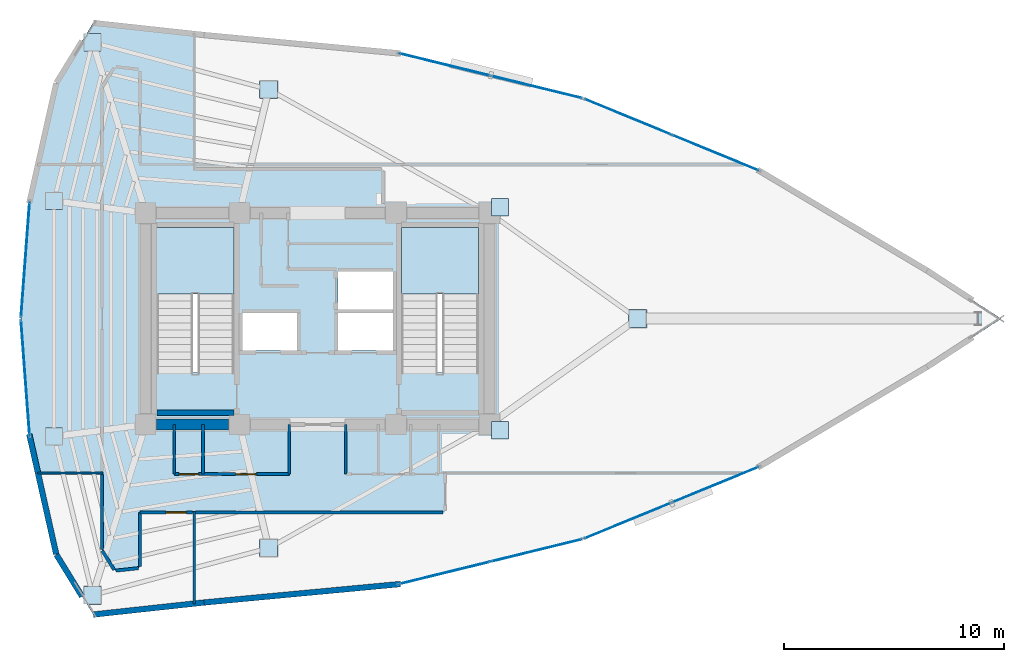
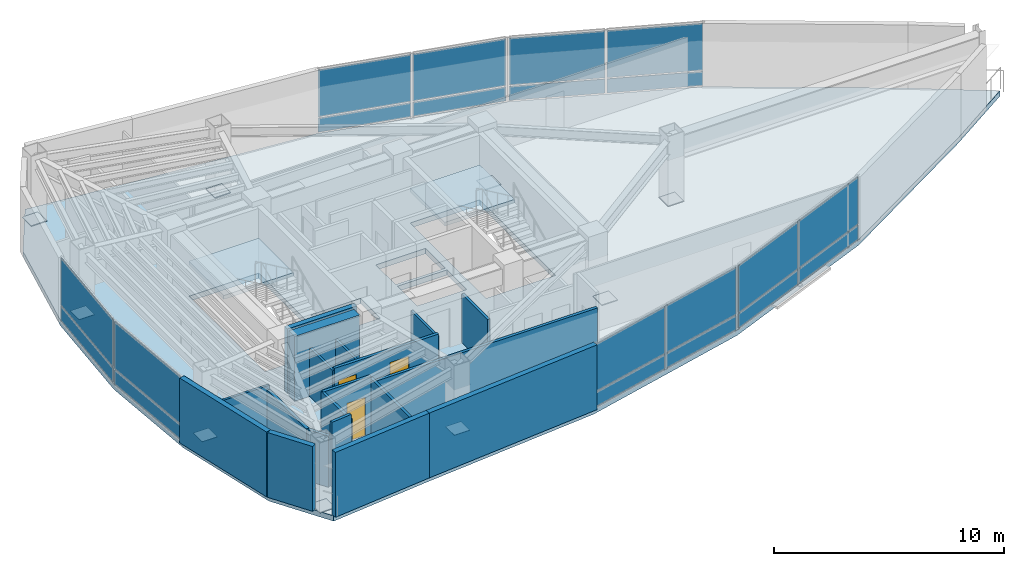
# One storey, part 13 of 17: 29 plates, 19 walls, 3 doors, 3 slabs, 3 openings, 8 elements without a shape of their own.
"""IFC4 building model written with IfcOpenShell, lengths in metres."""

from ifc_helpers import new_model, si_unit, direction, frame, frame_2d, origin, origin_2d, place, context, subcontext, project, spatial, polyline, rectangle, outline, extrude, material, layer, layer_set, type_object, element, fill, aggregate, save


model = new_model("IFC4")

# Units and contexts
model_context = context("Model", 3, precision=1e-05, world=origin(), true_north=direction((0.0, 1.0)))
body_context = subcontext(model_context, "Body", "Model", "MODEL_VIEW")
ifc_project = project(units=[si_unit("LENGTHUNIT", "METRE"), si_unit("AREAUNIT", "SQUARE_METRE"), si_unit("VOLUMEUNIT", "CUBIC_METRE"), si_unit("PLANEANGLEUNIT", "RADIAN"), si_unit("MASSUNIT", "GRAM", prefix="KILO")], contexts=[model_context])

# Site, building, storey
site_placement = place(None, origin())
site = spatial("IfcSite", under=ifc_project, at=site_placement, CompositionType="ELEMENT")
building_placement = place(site_placement, origin())
building = spatial("IfcBuilding", under=site, at=building_placement, Name="Menara Vayukalpa", CompositionType="ELEMENT")
storey_placement = place(building_placement, frame((0.0, 0.0, 234.419921875)))
storey = spatial("IfcBuildingStorey", under=building, at=storey_placement, Name="L59", CompositionType="ELEMENT", Elevation=234.419921875)

# Curtain wall, plates
ifc_material_1 = material(Name="Anodised Terracotta Aluminium Alloy 6063-T6", Category="masonry")
ifc_layer_1 = layer(ifc_material_1, 0.179931640625)
ifc_layer_set_1 = layer_set([ifc_layer_1], Name="Anodised Terracotta Aluminium Alloy 6063-T6")
curtain_wall_type = type_object("IfcCurtainWallType", Name="CW-CW4", PredefinedType="USERDEFINED", material=ifc_layer_set_1)
curtain_wall_1_placement = place(storey_placement, origin())
curtain_wall_1 = element("IfcCurtainWall", 1, at=curtain_wall_1_placement, inside=storey, type_object=curtain_wall_type, Name="L59 Sky Bar Cantilever Glazed Curtain Wall CW4 04", ObjectType="UNITISED", PredefinedType="USERDEFINED")
ifc_material_2 = material(Name="Low-E Double Glazing", Category="glass")
ifc_layer_2 = layer(ifc_material_2, 0.0380859375)
ifc_layer_set_2 = layer_set([ifc_layer_2], Name="Low-E Double Glazing")
plate_type_1 = type_object("IfcPlateType", Name="CWP-CW4", PredefinedType="CURTAIN_PANEL", material=ifc_layer_set_2)
plate_1_placement = place(storey_placement, frame((43.641845703125, 29.53271484375, 0.070068359375), z_axis=(0.0, 0.0, 1.0), x_axis=(-0.924970279301, 0.380039448491, 0.0)))
plate_1 = element("IfcPlate", 2, at=plate_1_placement, type_object=plate_type_1, Name="CW4 panel 1.1", PredefinedType="CURTAIN_PANEL", context=body_context, shape_type="SweptSolid", body=[
    extrude(rectangle(XDim=4.21435546875, YDim=0.0380859375, at=origin_2d()), origin(), (0.0, 0.0, 1.0), 0.7451171875),
])
plate_2_placement = place(storey_placement, frame((43.641845703125, 29.53271484375, 0.88525390625), z_axis=(0.0, 0.0, 1.0), x_axis=(-0.924970279301, 0.380039448491, 0.0)))
plate_2 = element("IfcPlate", 3, at=plate_2_placement, type_object=plate_type_1, Name="CW4 panel 1.2", PredefinedType="CURTAIN_PANEL", context=body_context, shape_type="SweptSolid", body=[
    extrude(rectangle(XDim=4.21435546875, YDim=0.0380859375, at=origin_2d()), origin(), (0.0, 0.0, 1.0), 2.485107421875),
])
plate_3_placement = place(storey_placement, frame((39.67431640625, 31.16259765625, 0.070068359375), z_axis=(0.0, 0.0, 1.0), x_axis=(-0.924970279301, 0.380039448491, 0.0)))
plate_3 = element("IfcPlate", 4, at=plate_3_placement, type_object=plate_type_1, Name="CW4 panel 2.1", PredefinedType="CURTAIN_PANEL", context=body_context, shape_type="SweptSolid", body=[
    extrude(rectangle(XDim=4.21435546875, YDim=0.0380859375, at=origin_2d()), origin(), (0.0, 0.0, 1.0), 0.7451171875),
])
plate_4_placement = place(storey_placement, frame((39.67431640625, 31.16259765625, 0.88525390625), z_axis=(0.0, 0.0, 1.0), x_axis=(-0.924970279301, 0.380039448491, 0.0)))
plate_4 = element("IfcPlate", 5, at=plate_4_placement, type_object=plate_type_1, Name="CW4 panel 2.2", PredefinedType="CURTAIN_PANEL", context=body_context, shape_type="SweptSolid", body=[
    extrude(rectangle(XDim=4.21435546875, YDim=0.0380859375, at=origin_2d()), origin(), (0.0, 0.0, 1.0), 2.485107421875),
])
aggregate(curtain_wall_1, [plate_1, plate_2, plate_3, plate_4])

curtain_wall_2_placement = place(storey_placement, origin())
curtain_wall_2 = element("IfcCurtainWall", 6, at=curtain_wall_2_placement, inside=storey, type_object=curtain_wall_type, Name="L59 Sky Bar Cantilever Glazed Curtain Wall CW4 05", ObjectType="UNITISED", PredefinedType="USERDEFINED")
plate_5_placement = place(storey_placement, frame((35.536376953125, 32.510986328125, 0.070068359375), z_axis=(0.0, 0.0, 1.0), x_axis=(-0.971311749097, 0.237809768652, 0.0)))
plate_5 = element("IfcPlate", 7, at=plate_5_placement, type_object=plate_type_1, Name="CW4 panel 1.1", PredefinedType="CURTAIN_PANEL", context=body_context, shape_type="SweptSolid", body=[
    extrude(rectangle(XDim=4.21435546875, YDim=0.0380859375, at=origin_2d()), origin(), (0.0, 0.0, 1.0), 0.7451171875),
])
plate_6_placement = place(storey_placement, frame((35.536376953125, 32.510986328125, 0.88525390625), z_axis=(0.0, 0.0, 1.0), x_axis=(-0.971311749097, 0.237809768652, 0.0)))
plate_6 = element("IfcPlate", 8, at=plate_6_placement, type_object=plate_type_1, Name="CW4 panel 1.2", PredefinedType="CURTAIN_PANEL", context=body_context, shape_type="SweptSolid", body=[
    extrude(rectangle(XDim=4.21435546875, YDim=0.0380859375, at=origin_2d()), origin(), (0.0, 0.0, 1.0), 2.485107421875),
])
plate_7_placement = place(storey_placement, frame((31.3701171875, 33.531005859375, 0.070068359375), z_axis=(0.0, 0.0, 1.0), x_axis=(-0.971311749097, 0.237809768652, 0.0)))
plate_7 = element("IfcPlate", 9, at=plate_7_placement, type_object=plate_type_1, Name="CW4 panel 2.1", PredefinedType="CURTAIN_PANEL", context=body_context, shape_type="SweptSolid", body=[
    extrude(rectangle(XDim=4.21435546875, YDim=0.0380859375, at=origin_2d()), origin(), (0.0, 0.0, 1.0), 0.7451171875),
])
plate_8_placement = place(storey_placement, frame((31.3701171875, 33.531005859375, 0.88525390625), z_axis=(0.0, 0.0, 1.0), x_axis=(-0.971311749097, 0.237809768652, 0.0)))
plate_8 = element("IfcPlate", 10, at=plate_8_placement, type_object=plate_type_1, Name="CW4 panel 2.2", PredefinedType="CURTAIN_PANEL", context=body_context, shape_type="SweptSolid", body=[
    extrude(rectangle(XDim=4.21435546875, YDim=0.0380859375, at=origin_2d()), origin(), (0.0, 0.0, 1.0), 2.485107421875),
])
aggregate(curtain_wall_2, [plate_5, plate_6, plate_7, plate_8])

curtain_wall_3_placement = place(storey_placement, origin())
curtain_wall_3 = element("IfcCurtainWall", 11, at=curtain_wall_3_placement, inside=storey, type_object=curtain_wall_type, Name="L59 Sky Bar Cantilever Glazed Curtain Wall CW4 10", ObjectType="UNITISED", PredefinedType="USERDEFINED")
plate_9_placement = place(storey_placement, frame((12.33837890625, 24.67333984375, 0.070068359375), z_axis=(0.0, 0.0, 1.0), x_axis=(-0.074789484574, -0.997199344663, 0.0)))
plate_9 = element("IfcPlate", 12, at=plate_9_placement, type_object=plate_type_1, Name="CW4 panel 1.1", PredefinedType="CURTAIN_PANEL", context=body_context, shape_type="SweptSolid", body=[
    extrude(rectangle(XDim=5.211669921875, YDim=0.0380859375, at=origin_2d()), origin(), (0.0, 0.0, 1.0), 0.7451171875),
])
plate_10_placement = place(storey_placement, frame((12.33837890625, 24.67333984375, 0.88525390625), z_axis=(0.0, 0.0, 1.0), x_axis=(-0.074789484574, -0.997199344663, 0.0)))
plate_10 = element("IfcPlate", 13, at=plate_10_placement, type_object=plate_type_1, Name="CW4 panel 1.2", PredefinedType="CURTAIN_PANEL", context=body_context, shape_type="SweptSolid", body=[
    extrude(rectangle(XDim=5.211669921875, YDim=0.0380859375, at=origin_2d()), origin(), (0.0, 0.0, 1.0), 2.485107421875),
])
aggregate(curtain_wall_3, [plate_9, plate_10])

curtain_wall_4_placement = place(storey_placement, origin())
curtain_wall_4 = element("IfcCurtainWall", 14, at=curtain_wall_4_placement, inside=storey, type_object=curtain_wall_type, Name="L59 Sky Bar Cantilever Glazed Curtain Wall CW4 11", ObjectType="UNITISED", PredefinedType="USERDEFINED")
plate_11_placement = place(storey_placement, frame((12.33837890625, 19.32666015625, 0.070068359375), z_axis=(0.0, 0.0, 1.0), x_axis=(0.074789484574, -0.997199344663, 0.0)))
plate_11 = element("IfcPlate", 15, at=plate_11_placement, type_object=plate_type_1, Name="CW4 panel 1.1", PredefinedType="CURTAIN_PANEL", context=body_context, shape_type="SweptSolid", body=[
    extrude(rectangle(XDim=5.211669921875, YDim=0.0380859375, at=origin_2d()), origin(), (0.0, 0.0, 1.0), 0.7451171875),
])
plate_12_placement = place(storey_placement, frame((12.33837890625, 19.32666015625, 0.88525390625), z_axis=(0.0, 0.0, 1.0), x_axis=(0.074789484574, -0.997199344663, 0.0)))
plate_12 = element("IfcPlate", 16, at=plate_12_placement, type_object=plate_type_1, Name="CW4 panel 1.2", PredefinedType="CURTAIN_PANEL", context=body_context, shape_type="SweptSolid", body=[
    extrude(rectangle(XDim=5.211669921875, YDim=0.0380859375, at=origin_2d()), origin(), (0.0, 0.0, 1.0), 2.485107421875),
])
aggregate(curtain_wall_4, [plate_11, plate_12])

curtain_wall_5_placement = place(storey_placement, origin())
curtain_wall_5 = element("IfcCurtainWall", 17, at=curtain_wall_5_placement, inside=storey, type_object=curtain_wall_type, Name="L59 Sky Bar Cantilever Glazed Curtain Wall CW4 16", ObjectType="UNITISED", PredefinedType="USERDEFINED")
plate_13_placement = place(storey_placement, frame((31.3701171875, 10.468994140625, 0.070068359375), z_axis=(0.0, 0.0, 1.0), x_axis=(0.971311749097, 0.237809768652, 0.0)))
plate_13 = element("IfcPlate", 18, at=plate_13_placement, type_object=plate_type_1, Name="CW4 panel 1.1", PredefinedType="CURTAIN_PANEL", context=body_context, shape_type="SweptSolid", body=[
    extrude(rectangle(XDim=4.21435546875, YDim=0.0380859375, at=origin_2d()), origin(), (0.0, 0.0, 1.0), 0.7451171875),
])
plate_14_placement = place(storey_placement, frame((31.3701171875, 10.468994140625, 0.88525390625), z_axis=(0.0, 0.0, 1.0), x_axis=(0.971311749097, 0.237809768652, 0.0)))
plate_14 = element("IfcPlate", 19, at=plate_14_placement, type_object=plate_type_1, Name="CW4 panel 1.2", PredefinedType="CURTAIN_PANEL", context=body_context, shape_type="SweptSolid", body=[
    extrude(rectangle(XDim=4.21435546875, YDim=0.0380859375, at=origin_2d()), origin(), (0.0, 0.0, 1.0), 2.485107421875),
])
plate_15_placement = place(storey_placement, frame((35.536376953125, 11.489013671875, 0.070068359375), z_axis=(0.0, 0.0, 1.0), x_axis=(0.971311749097, 0.237809768652, 0.0)))
plate_15 = element("IfcPlate", 20, at=plate_15_placement, type_object=plate_type_1, Name="CW4 panel 2.1", PredefinedType="CURTAIN_PANEL", context=body_context, shape_type="SweptSolid", body=[
    extrude(rectangle(XDim=4.21435546875, YDim=0.0380859375, at=origin_2d()), origin(), (0.0, 0.0, 1.0), 0.7451171875),
])
plate_16_placement = place(storey_placement, frame((35.536376953125, 11.489013671875, 0.88525390625), z_axis=(0.0, 0.0, 1.0), x_axis=(0.971311749097, 0.237809768652, 0.0)))
plate_16 = element("IfcPlate", 21, at=plate_16_placement, type_object=plate_type_1, Name="CW4 panel 2.2", PredefinedType="CURTAIN_PANEL", context=body_context, shape_type="SweptSolid", body=[
    extrude(rectangle(XDim=4.21435546875, YDim=0.0380859375, at=origin_2d()), origin(), (0.0, 0.0, 1.0), 2.485107421875),
])
aggregate(curtain_wall_5, [plate_13, plate_14, plate_15, plate_16])

curtain_wall_6_placement = place(storey_placement, origin())
curtain_wall_6 = element("IfcCurtainWall", 22, at=curtain_wall_6_placement, inside=storey, type_object=curtain_wall_type, Name="L59 Sky Bar Cantilever Glazed Curtain Wall CW4 17", ObjectType="UNITISED", PredefinedType="USERDEFINED")
plate_17_placement = place(storey_placement, frame((39.67431640625, 12.83740234375, 0.070068359375), z_axis=(0.0, 0.0, 1.0), x_axis=(0.924970279301, 0.380039448491, 0.0)))
plate_17 = element("IfcPlate", 23, at=plate_17_placement, type_object=plate_type_1, Name="CW4 panel 1.1", PredefinedType="CURTAIN_PANEL", context=body_context, shape_type="SweptSolid", body=[
    extrude(rectangle(XDim=4.21435546875, YDim=0.0380859375, at=origin_2d()), origin(), (0.0, 0.0, 1.0), 0.7451171875),
])
plate_18_placement = place(storey_placement, frame((39.67431640625, 12.83740234375, 0.88525390625), z_axis=(0.0, 0.0, 1.0), x_axis=(0.924970279301, 0.380039448491, 0.0)))
plate_18 = element("IfcPlate", 24, at=plate_18_placement, type_object=plate_type_1, Name="CW4 panel 1.2", PredefinedType="CURTAIN_PANEL", context=body_context, shape_type="SweptSolid", body=[
    extrude(rectangle(XDim=4.21435546875, YDim=0.0380859375, at=origin_2d()), origin(), (0.0, 0.0, 1.0), 2.485107421875),
])
plate_19_placement = place(storey_placement, frame((43.641845703125, 14.46728515625, 0.070068359375), z_axis=(0.0, 0.0, 1.0), x_axis=(0.924970279301, 0.380039448491, 0.0)))
plate_19 = element("IfcPlate", 25, at=plate_19_placement, type_object=plate_type_1, Name="CW4 panel 2.1", PredefinedType="CURTAIN_PANEL", context=body_context, shape_type="SweptSolid", body=[
    extrude(rectangle(XDim=4.21435546875, YDim=0.0380859375, at=origin_2d()), origin(), (0.0, 0.0, 1.0), 0.7451171875),
])
plate_20_placement = place(storey_placement, frame((43.641845703125, 14.46728515625, 0.88525390625), z_axis=(0.0, 0.0, 1.0), x_axis=(0.924970279301, 0.380039448491, 0.0)))
plate_20 = element("IfcPlate", 26, at=plate_20_placement, type_object=plate_type_1, Name="CW4 panel 2.2", PredefinedType="CURTAIN_PANEL", context=body_context, shape_type="SweptSolid", body=[
    extrude(rectangle(XDim=4.21435546875, YDim=0.0380859375, at=origin_2d()), origin(), (0.0, 0.0, 1.0), 2.485107421875),
])
aggregate(curtain_wall_6, [plate_17, plate_18, plate_19, plate_20])

# Plates
ifc_material_3 = material(Name="Steel S355", Category="steel")
ifc_layer_3 = layer(ifc_material_3, 0.034912109375)
ifc_layer_set_3 = layer_set([ifc_layer_3], Name="Steel S355")
plate_type_2 = type_object("IfcPlateType", Name="PLT-SP2", PredefinedType="USERDEFINED", material=ifc_layer_set_3)
for number, where, z_axis, x_axis, name in (
    (27, (40.121826171875, 22.0, 0.0), (0.0, 0.0, 1.0), (1.0, 0.0, 0.0), "L59 Mega Column Tier Splice Plate 01"),
    (28, (33.880615234375, 27.05810546875, 0.0), (0.0, 0.0, 1.0), (1.0, 0.0, 0.0), "L59 Mega Column Tier Splice Plate 02"),
    (29, (23.3818359375, 32.40478515625, 0.0), (0.0, 0.0, 1.0), (1.0, 0.0, 0.0), "L59 Mega Column Tier Splice Plate 03"),
    (30, (15.38916015625, 34.544677734375, 0.0), (0.0, 0.0, 1.0), (1.0, 0.0, 0.0), "L59 Mega Column Tier Splice Plate 04"),
    (31, (13.638916015625, 27.3466796875, 0.0), (0.0, 0.0, 1.0), (1.0, 0.0, 0.0), "L59 Mega Column Tier Splice Plate 05"),
    (32, (13.638916015625, 16.6533203125, 0.0), (0.0, 0.0, 1.0), (1.0, 0.0, 0.0), "L59 Mega Column Tier Splice Plate 06"),
    (33, (15.38916015625, 9.455322265625, 0.0), (0.0, 0.0, 1.0), (1.0, 0.0, 0.0), "L59 Mega Column Tier Splice Plate 07"),
    (34, (23.3818359375, 11.59521484375, 0.0), (0.0, 0.0, 1.0), (1.0, 0.0, 0.0), "L59 Mega Column Tier Splice Plate 08"),
    (35, (33.880615234375, 16.94189453125, 0.0), (0.0, 0.0, 1.0), (1.0, 0.0, 0.0), "L59 Mega Column Tier Splice Plate 09"),
):
    element("IfcPlate", number, at=place(storey_placement, frame(where, z_axis=z_axis, x_axis=x_axis)), inside=storey, type_object=plate_type_2, Name=name, ObjectType="SPLICE_PLATE", PredefinedType="USERDEFINED", context=body_context, shape_type="SweptSolid", body=[
        extrude(rectangle(XDim=0.780029296875, YDim=0.780029296875, at=origin_2d()), origin(), (0.0, 0.0, 1.0), 0.034912109375),
    ])

# Slab
ifc_material_4 = material(Name="Concrete C40/50", Category="concrete")
ifc_layer_4 = layer(ifc_material_4, 0.280029296875)
ifc_layer_set_4 = layer_set([ifc_layer_4], Name="Concrete C40/50")
slab_type_1 = type_object("IfcSlabType", Name="SLB-FL280", PredefinedType="FLOOR", material=ifc_layer_set_4)
slab_1_placement = place(storey_placement, frame((0.0, 0.0, -0.280029296875)))
element("IfcSlab", 36, at=slab_1_placement, inside=storey, type_object=slab_type_1, Name="L59 Sky Bar Structural Floor Slab", PredefinedType="FLOOR", context=body_context, shape_type="SweptSolid", body=[
    extrude(outline(polyline([(53.263427734375, 19.816162109375), (56.61474609375, 22.0), (53.263427734375, 24.183837890625), (45.660400390625, 28.703369140625), (37.656005859375, 31.991943359375), (29.250732421875, 34.0498046875), (20.444580078125, 34.877197265625), (15.41748046875, 35.423095703125), (13.741943359375, 32.693359375), (12.5390625, 27.3466796875), (12.137939453125, 22.0), (12.5390625, 16.6533203125), (13.741943359375, 11.306640625), (15.41748046875, 8.576904296875), (20.444580078125, 9.122802734375), (29.250732421875, 9.9501953125), (37.656005859375, 12.008056640625), (45.660400390625, 15.296630859375), (53.263427734375, 19.816162109375)]), holes=[polyline([(21.800048828125, 19.550048828125), (21.800048828125, 26.14990234375), (18.300048828125, 26.14990234375), (18.300048828125, 19.550048828125), (21.800048828125, 19.550048828125)]), polyline([(32.89990234375, 19.550048828125), (32.89990234375, 26.14990234375), (29.39990234375, 26.14990234375), (29.39990234375, 19.550048828125), (32.89990234375, 19.550048828125)]), polyline([(22.179931640625, 20.550048828125), (24.679931640625, 20.550048828125), (24.679931640625, 22.27001953125), (22.179931640625, 22.27001953125), (22.179931640625, 20.550048828125)]), polyline([(26.52001953125, 20.550048828125), (29.02001953125, 20.550048828125), (29.02001953125, 22.27001953125), (26.52001953125, 22.27001953125), (26.52001953125, 20.550048828125)]), polyline([(26.52001953125, 22.419921875), (29.02001953125, 22.419921875), (29.02001953125, 24.139892578125), (26.52001953125, 24.139892578125), (26.52001953125, 22.419921875)])]), origin(), (0.0, 0.0, 1.0), 0.280029296875),
])

# Stair, slab
ifc_material_5 = material(Name="Precast Concrete C40/50", Category="concrete")
stair_type = type_object("IfcStairType", Name="STR-T04", PredefinedType="DOUBLE_RETURN_STAIR", material=ifc_material_5)
stair_1_placement = place(storey_placement, origin())
stair_1 = element("IfcStair", 37, at=stair_1_placement, inside=storey, type_object=stair_type, Name="L59 Core Exit Stair ST-1", PredefinedType="DOUBLE_RETURN_STAIR")
ifc_material_6 = material(Name="Precast Concrete C40/50", Category="concrete")
ifc_layer_5 = layer(ifc_material_6, 0.199951171875)
ifc_layer_set_5 = layer_set([ifc_layer_5], Name="Precast Concrete C40/50")
slab_type_2 = type_object("IfcSlabType", Name="SLB-LND200", PredefinedType="LANDING", material=ifc_layer_set_5)
slab_2_placement = place(storey_placement, frame((0.0, 0.0, 1.66015625)))
slab_2 = element("IfcSlab", 38, at=slab_2_placement, type_object=slab_type_2, Name="ST-1 landing 1", PredefinedType="LANDING", context=body_context, shape_type="SweptSolid", body=[
    extrude(outline(polyline([(21.800048828125, 23.1298828125), (21.800048828125, 26.14990234375), (18.300048828125, 26.14990234375), (18.300048828125, 23.1298828125), (21.800048828125, 23.1298828125)])), origin(), (0.0, 0.0, 1.0), 0.199951171875),
])
aggregate(stair_1, [slab_2])

stair_2_placement = place(storey_placement, origin())
stair_2 = element("IfcStair", 39, at=stair_2_placement, inside=storey, type_object=stair_type, Name="L59 Core Exit Stair ST-2", PredefinedType="DOUBLE_RETURN_STAIR")
slab_3_placement = place(storey_placement, frame((0.0, 0.0, 1.66015625)))
slab_3 = element("IfcSlab", 40, at=slab_3_placement, type_object=slab_type_2, Name="ST-2 landing 1", PredefinedType="LANDING", context=body_context, shape_type="SweptSolid", body=[
    extrude(outline(polyline([(32.89990234375, 23.1298828125), (32.89990234375, 26.14990234375), (29.39990234375, 26.14990234375), (29.39990234375, 23.1298828125), (32.89990234375, 23.1298828125)])), origin(), (0.0, 0.0, 1.0), 0.199951171875),
])
aggregate(stair_2, [slab_3])

# Walls
ifc_material_7 = material(Name="Concrete C60/75", Category="concrete")
ifc_layer_6 = layer(ifc_material_7, 0.5)
ifc_layer_set_6 = layer_set([ifc_layer_6], Name="Concrete C60/75")
wall_type_1 = type_object("IfcWallType", Name="WAL-CW500", PredefinedType="SHEAR", material=ifc_layer_set_6)
wall_1_placement = place(storey_placement, frame((18.294921875, 17.199951171875, 0.0), z_axis=(0.0, 0.0, 1.0), x_axis=(1.0, 0.0, 0.0)))
element("IfcWall", 41, at=wall_1_placement, inside=storey, type_object=wall_type_1, Name="L59 Buttressed Core Shear Wall CWS1", PredefinedType="SHEAR", context=body_context, shape_type="SweptSolid", body=[
    extrude(rectangle(XDim=3.260009765625, YDim=0.5, at=frame_2d((1.6298828125, 0.0))), origin(), (0.0, 0.0, 1.0), 3.440185546875),
])
ifc_material_8 = material(Name="Insulated Precast Concrete C40/50", Category="concrete")
ifc_layer_7 = layer(ifc_material_8, 0.260009765625)
ifc_layer_set_7 = layer_set([ifc_layer_7], Name="Insulated Precast Concrete C40/50")
wall_type_2 = type_object("IfcWallType", Name="WAL-EXT260", PredefinedType="PARTITIONING", material=ifc_layer_set_7)
wall_2_placement = place(storey_placement, frame((13.73974609375, 11.316650390625, 0.0), z_axis=(0.0, 0.0, 1.0), x_axis=(-0.219510112872, 0.975610224601, 0.0)))
element("IfcWall", 42, at=wall_2_placement, inside=storey, type_object=wall_type_2, Name="L59 Perimeter Terracotta Pier Wall 12", PredefinedType="PARTITIONING", context=body_context, shape_type="SweptSolid", body=[
    extrude(rectangle(XDim=5.579833984375, YDim=0.260009765625, at=frame_2d((2.7900390625, 0.0))), origin(), (0.0, 0.0, 1.0), 3.440185546875),
])
wall_3_placement = place(storey_placement, frame((14.912353515625, 9.39990234375, 0.0), z_axis=(0.0, 0.0, 1.0), x_axis=(-0.52314291314, 0.852244972077, 0.0)))
element("IfcWall", 43, at=wall_3_placement, inside=storey, type_object=wall_type_2, Name="L59 Perimeter Terracotta Pier Wall 13", PredefinedType="PARTITIONING", context=body_context, shape_type="SweptSolid", body=[
    extrude(rectangle(XDim=2.22705078125, YDim=0.260009765625, at=frame_2d((1.113525390625, 0.0))), origin(), (0.0, 0.0, 1.0), 3.440185546875),
])
wall_4_placement = place(storey_placement, frame((20.450439453125, 9.123291015625, 0.0), z_axis=(0.0, 0.0, 1.0), x_axis=(-0.994158757437, -0.107927591518, 0.0)))
element("IfcWall", 44, at=wall_4_placement, inside=storey, type_object=wall_type_2, Name="L59 Perimeter Terracotta Pier Wall 14", PredefinedType="PARTITIONING", context=body_context, shape_type="SweptSolid", body=[
    extrude(rectangle(XDim=5.0625, YDim=0.260009765625, at=frame_2d((2.53125, 0.0))), origin(), (0.0, 0.0, 1.0), 3.440185546875),
])
wall_5_placement = place(storey_placement, frame((29.360107421875, 9.96044921875, 0.0), z_axis=(0.0, 0.0, 1.0), x_axis=(-0.995616246459, -0.093532292754, 0.0)))
element("IfcWall", 45, at=wall_5_placement, inside=storey, type_object=wall_type_2, Name="L59 Perimeter Terracotta Pier Wall 15", PredefinedType="PARTITIONING", context=body_context, shape_type="SweptSolid", body=[
    extrude(rectangle(XDim=8.9609375, YDim=0.260009765625, at=frame_2d((4.48046875, 0.0))), origin(), (0.0, 0.0, 1.0), 3.440185546875),
])
ifc_material_9 = material(Name="Acoustic Mineral Stud Partition", Category="masonry")
ifc_layer_8 = layer(ifc_material_9, 0.110107421875)
ifc_layer_set_8 = layer_set([ifc_layer_8], Name="Acoustic Mineral Stud Partition")
wall_type_3 = type_object("IfcWallType", Name="WAL-PT110", PredefinedType="PARTITIONING", material=ifc_layer_set_8)
wall_6_placement = place(storey_placement, frame((24.320068359375, 14.949951171875, 0.0), z_axis=(0.0, 0.0, 1.0), x_axis=(0.0, 1.0, 0.0)))
element("IfcWall", 46, at=wall_6_placement, inside=storey, type_object=wall_type_3, Name="L59 Interior Partition IW-L59-SVCD-03", PredefinedType="PARTITIONING", context=body_context, shape_type="SweptSolid", body=[
    extrude(rectangle(XDim=2.25, YDim=0.110107421875, at=frame_2d((1.125, 0.0))), origin(), (0.0, 0.0, 1.0), 2.570068359375),
])
wall_7_placement = place(storey_placement, frame((12.900634765625, 15.0, 0.0), z_axis=(0.0, 0.0, 1.0), x_axis=(1.0, 0.0, 0.0)))
element("IfcWall", 47, at=wall_7_placement, inside=storey, type_object=wall_type_3, Name="L59 Interior Partition IW-L59-RDIV03", PredefinedType="PARTITIONING", context=body_context, shape_type="SweptSolid", body=[
    extrude(rectangle(XDim=2.969482421875, YDim=0.110107421875, at=frame_2d((1.48486328125, 0.0))), origin(), (0.0, 0.0, 1.0), 2.920166015625),
])
ifc_material_10 = material(Name="Gypsum Drywall Steel Stud Assembly", Category="steel")
ifc_layer_9 = layer(ifc_material_10, 0.125)
ifc_layer_set_9 = layer_set([ifc_layer_9], Name="Gypsum Drywall Steel Stud Assembly")
wall_type_4 = type_object("IfcWallType", Name="WAL-PT125", PredefinedType="PARTITIONING", material=ifc_layer_set_9)
for number, where, z_axis, x_axis, name in (
    (48, (19.10009765625, 14.949951171875, 0.0), (0.0, 0.0, 1.0), (0.0, 1.0, 0.0), "L59 Interior Partition IW-L59-SVCD-01"),
    (49, (20.39990234375, 14.949951171875, 0.0), (0.0, 0.0, 1.0), (0.0, 1.0, 0.0), "L59 Interior Partition IW-L59-SVCD-02"),
    (50, (26.8798828125, 14.949951171875, 0.0), (0.0, 0.0, 1.0), (0.0, 1.0, 0.0), "L59 Interior Partition IW-L59-SVCD-04"),
):
    element("IfcWall", number, at=place(storey_placement, frame(where, z_axis=z_axis, x_axis=x_axis)), inside=storey, type_object=wall_type_4, Name=name, PredefinedType="PARTITIONING", context=body_context, shape_type="SweptSolid", body=[
        extrude(rectangle(XDim=2.25, YDim=0.125, at=frame_2d((1.125, 0.0))), origin(), (0.0, 0.0, 1.0), 2.570068359375),
    ])
wall_8_placement = place(storey_placement, frame((20.0, 9.064453125, 0.0), z_axis=(0.0, 0.0, 1.0), x_axis=(0.0, 1.0, 0.0)))
element("IfcWall", 51, at=wall_8_placement, inside=storey, type_object=wall_type_4, Name="L59 Interior Partition IW-L59-RDIV01", PredefinedType="PARTITIONING", context=body_context, shape_type="SweptSolid", body=[
    extrude(rectangle(XDim=4.195556640625, YDim=0.125, at=frame_2d((2.09765625, 0.0))), origin(), (0.0, 0.0, 1.0), 2.920166015625),
])

# Wall, openings, doors
ifc_material_11 = material(Name="Gypsum Drywall Acoustic Stud Assembly", Category="masonry")
ifc_layer_10 = layer(ifc_material_11, 0.14501953125)
ifc_layer_set_10 = layer_set([ifc_layer_10], Name="Gypsum Drywall Acoustic Stud Assembly")
wall_type_5 = type_object("IfcWallType", Name="WAL-PT150", PredefinedType="PARTITIONING", material=ifc_layer_set_10)
wall_9_placement = place(storey_placement, frame((19.10009765625, 14.949951171875, 0.0), z_axis=(0.0, 0.0, 1.0), x_axis=(1.0, 0.0, 0.0)))
wall_9 = element("IfcWall", 52, at=wall_9_placement, inside=storey, type_object=wall_type_5, Name="L59 Interior Partition IW-L59-SVCS-W", PredefinedType="PARTITIONING", context=body_context, shape_type="SweptSolid", body=[
    extrude(rectangle(XDim=5.219970703125, YDim=0.14501953125, at=frame_2d((2.60986328125, 0.0))), origin(), (0.0, 0.0, 1.0), 2.719970703125),
])
opening_1_placement = place(wall_9_placement, frame((0.199951171875, 0.0, 0.0)))
opening_1 = element("IfcOpeningElement", 53, at=opening_1_placement, cuts=wall_9, Name="Opening ID7", PredefinedType="OPENING", context=body_context, shape_type="SweptSolid", body=[
    extrude(rectangle(XDim=0.89990234375, YDim=2.02001953125, at=frame_2d((0.449951171875, 1.010009765625))), frame((0.0, 0.08251953125, 0.0), z_axis=(0.0, -1.0, 0.0), x_axis=(1.0, 0.0, 0.0)), (0.0, 0.0, 1.0), 0.1650390625),
])
opening_2_placement = place(wall_9_placement, frame((2.784912109375, 0.0, 0.0)))
opening_2 = element("IfcOpeningElement", 54, at=opening_2_placement, cuts=wall_9, Name="Opening ID5", PredefinedType="OPENING", context=body_context, shape_type="SweptSolid", body=[
    extrude(rectangle(XDim=0.949951171875, YDim=2.06005859375, at=frame_2d((0.47509765625, 1.030029296875))), frame((0.0, 0.08251953125, 0.0), z_axis=(0.0, -1.0, 0.0), x_axis=(1.0, 0.0, 0.0)), (0.0, 0.0, 1.0), 0.1650390625),
])
ifc_material_12 = material(Name="Acoustic Hardwood Veneer Timber Door", Category="wood")
door_type_1 = type_object("IfcDoorType", Name="DR-INT95", OperationType="NOTDEFINED", PredefinedType="DOOR", material=ifc_material_12)
door_1_placement = place(opening_2_placement, origin())
door_1 = element("IfcDoor", 55, at=door_1_placement, inside=storey, type_object=door_type_1, Name="L59 Interior Door DR-L59-AWC", OperationType="SINGLE_SWING_LEFT", OverallHeight=2.06005859375, OverallWidth=0.949951171875, PredefinedType="DOOR", context=body_context, shape_type="SweptSolid", body=[
    extrude(rectangle(XDim=0.949951171875, YDim=2.06005859375, at=frame_2d((0.47509765625, 1.030029296875))), frame((0.0, 0.02490234375, 0.0), z_axis=(0.0, -1.0, 0.0), x_axis=(1.0, 0.0, 0.0)), (0.0, 0.0, 1.0), 0.050048828125),
])
fill(opening_2, door_1)
ifc_material_13 = material(Name="Powder-Coated Steel Riser Access Door", Category="steel")
door_type_2 = type_object("IfcDoorType", Name="DR-RISER", OperationType="NOTDEFINED", PredefinedType="DOOR", material=ifc_material_13)
door_2_placement = place(opening_1_placement, origin())
door_2 = element("IfcDoor", 56, at=door_2_placement, inside=storey, type_object=door_type_2, Name="L59 Interior Door DR-L59-ELR", OperationType="SINGLE_SWING_RIGHT", OverallHeight=2.02001953125, OverallWidth=0.89990234375, PredefinedType="DOOR", context=body_context, shape_type="SweptSolid", body=[
    extrude(rectangle(XDim=0.89990234375, YDim=2.02001953125, at=frame_2d((0.449951171875, 1.010009765625))), frame((0.0, 0.02490234375, 0.0), z_axis=(0.0, -1.0, 0.0), x_axis=(1.0, 0.0, 0.0)), (0.0, 0.0, 1.0), 0.050048828125),
])
fill(opening_1, door_2)

# Walls
wall_10_placement = place(storey_placement, frame((15.820068359375, 14.929931640625, 0.0), z_axis=(0.0, 0.0, 1.0), x_axis=(0.0, -1.0, 0.0)))
element("IfcWall", 57, at=wall_10_placement, inside=storey, type_object=wall_type_5, Name="L59 Interior Partition IW-L59-CRM02-1", PredefinedType="PARTITIONING", context=body_context, shape_type="SweptSolid", body=[
    extrude(rectangle(XDim=3.411376953125, YDim=0.14501953125, at=frame_2d((1.70556640625, 0.0))), origin(), (0.0, 0.0, 1.0), 2.719970703125),
])
wall_11_placement = place(storey_placement, frame((15.831787109375, 11.4765625, 0.0), z_axis=(0.0, 0.0, 1.0), x_axis=(0.523122844464, -0.852257290729, 0.0)))
element("IfcWall", 58, at=wall_11_placement, inside=storey, type_object=wall_type_5, Name="L59 Interior Partition IW-L59-CRM02-2", PredefinedType="PARTITIONING", context=body_context, shape_type="SweptSolid", body=[
    extrude(rectangle(XDim=1.020751953125, YDim=0.14501953125, at=frame_2d((0.51025390625, 0.0))), origin(), (0.0, 0.0, 1.0), 2.719970703125),
])
wall_12_placement = place(storey_placement, frame((16.4423828125, 10.569091796875, 0.0), z_axis=(0.0, 0.0, 1.0), x_axis=(0.994140595739, 0.108094754283, 0.0)))
element("IfcWall", 59, at=wall_12_placement, inside=storey, type_object=wall_type_5, Name="L59 Interior Partition IW-L59-CRM02-3", PredefinedType="PARTITIONING", context=body_context, shape_type="SweptSolid", body=[
    extrude(rectangle(XDim=1.0322265625, YDim=0.14501953125, at=frame_2d((0.51611328125, 0.0))), origin(), (0.0, 0.0, 1.0), 3.440185546875),
])
wall_13_placement = place(storey_placement, frame((17.5400390625, 10.760009765625, 0.0), z_axis=(0.0, 0.0, 1.0), x_axis=(0.0, 1.0, 0.0)))
element("IfcWall", 60, at=wall_13_placement, inside=storey, type_object=wall_type_5, Name="L59 Interior Partition IW-L59-CRM02-4", PredefinedType="PARTITIONING", context=body_context, shape_type="SweptSolid", body=[
    extrude(rectangle(XDim=2.449951171875, YDim=0.14501953125, at=frame_2d((1.22509765625, 0.0))), origin(), (0.0, 0.0, 1.0), 3.070068359375),
])

# Wall, opening, door
wall_14_placement = place(storey_placement, frame((17.5400390625, 13.2099609375, 0.0), z_axis=(0.0, 0.0, 1.0), x_axis=(1.0, 0.0, 0.0)))
wall_14 = element("IfcWall", 61, at=wall_14_placement, inside=storey, type_object=wall_type_5, Name="L59 Interior Partition IW-L59-CRM02-5", PredefinedType="PARTITIONING", context=body_context, shape_type="SweptSolid", body=[
    extrude(rectangle(XDim=2.389892578125, YDim=0.14501953125, at=frame_2d((1.19482421875, 0.0))), origin(), (0.0, 0.0, 1.0), 3.070068359375),
])
opening_3_placement = place(wall_14_placement, frame((1.18994140625, 0.0, 0.0)))
opening_3 = element("IfcOpeningElement", 62, at=opening_3_placement, cuts=wall_14, Name="Opening ID6", PredefinedType="OPENING", context=body_context, shape_type="SweptSolid", body=[
    extrude(rectangle(XDim=0.919921875, YDim=2.050048828125, at=frame_2d((0.4599609375, 1.02490234375))), frame((0.0, 0.08251953125, 0.0), z_axis=(0.0, -1.0, 0.0), x_axis=(1.0, 0.0, 0.0)), (0.0, 0.0, 1.0), 0.1650390625),
])
ifc_material_14 = material(Name="Acoustic Hardwood Veneer Timber Door", Category="wood")
door_type_3 = type_object("IfcDoorType", Name="DR-INT92", OperationType="NOTDEFINED", PredefinedType="DOOR", material=ifc_material_14)
door_3_placement = place(opening_3_placement, origin())
door_3 = element("IfcDoor", 63, at=door_3_placement, inside=storey, type_object=door_type_3, Name="L59 Interior Door DR-L59-RM02", OperationType="SINGLE_SWING_LEFT", OverallHeight=2.050048828125, OverallWidth=0.919921875, PredefinedType="DOOR", context=body_context, shape_type="SweptSolid", body=[
    extrude(rectangle(XDim=0.919921875, YDim=2.050048828125, at=frame_2d((0.4599609375, 1.02490234375))), frame((0.0, 0.02490234375, 0.0), z_axis=(0.0, -1.0, 0.0), x_axis=(1.0, 0.0, 0.0)), (0.0, 0.0, 1.0), 0.050048828125),
])
fill(opening_3, door_3)

# Walls
wall_15_placement = place(storey_placement, frame((20.070068359375, 13.2099609375, 0.0), z_axis=(0.0, 0.0, 1.0), x_axis=(1.0, 0.0, 0.0)))
element("IfcWall", 64, at=wall_15_placement, inside=storey, type_object=wall_type_5, Name="L59 Interior Partition IW-L59-CRM03-1", PredefinedType="PARTITIONING", context=body_context, shape_type="SweptSolid", body=[
    extrude(rectangle(XDim=11.22998046875, YDim=0.14501953125, at=frame_2d((5.614990234375, 0.0))), origin(), (0.0, 0.0, 1.0), 2.719970703125),
])
ifc_material_15 = material(Name="Concrete C50/60", Category="concrete")
ifc_layer_11 = layer(ifc_material_15, 0.25)
ifc_layer_set_11 = layer_set([ifc_layer_11], Name="Concrete C50/60")
wall_type_6 = type_object("IfcWallType", Name="WAL-SW250", PredefinedType="SHEAR", material=ifc_layer_set_11)
wall_16_placement = place(storey_placement, frame((18.303955078125, 17.72509765625, 0.0), z_axis=(0.0, 0.0, 1.0), x_axis=(1.0, 0.0, 0.0)))
element("IfcWall", 65, at=wall_16_placement, inside=storey, type_object=wall_type_6, Name="L59 ST1 Structural Stair Shaft Wall S", PredefinedType="SHEAR", context=body_context, shape_type="SweptSolid", body=[
    extrude(rectangle(XDim=3.49609375, YDim=0.25, at=frame_2d((1.748046875, 0.0))), origin(), (0.0, 0.0, 1.0), 3.440185546875),
])

save(model, "model.ifc")
